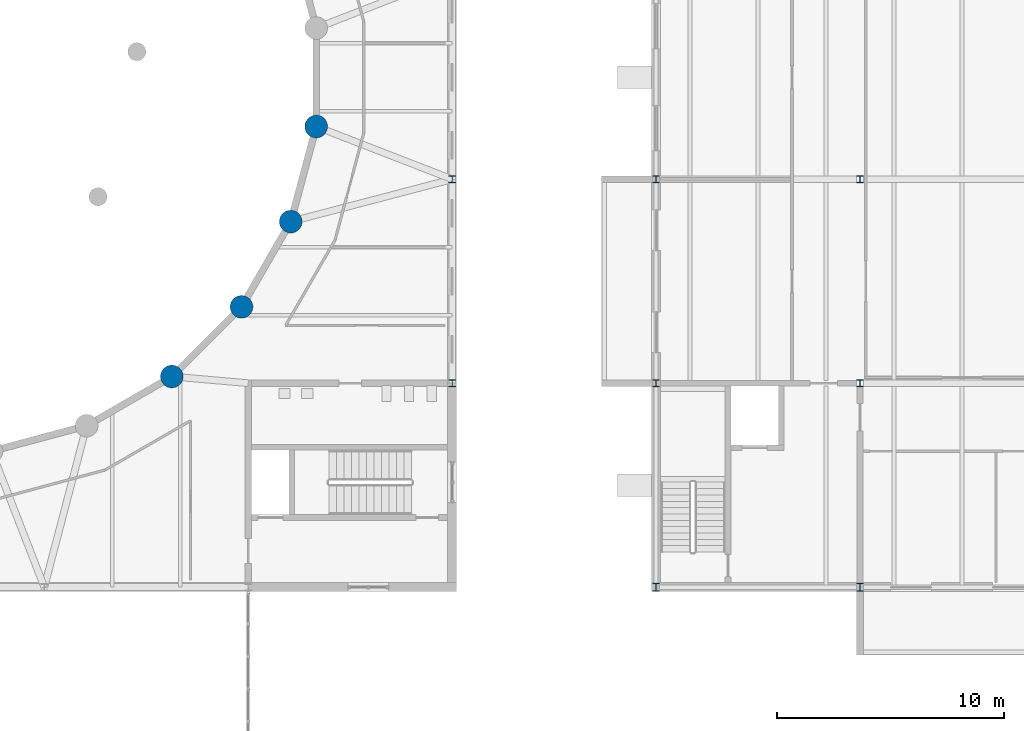
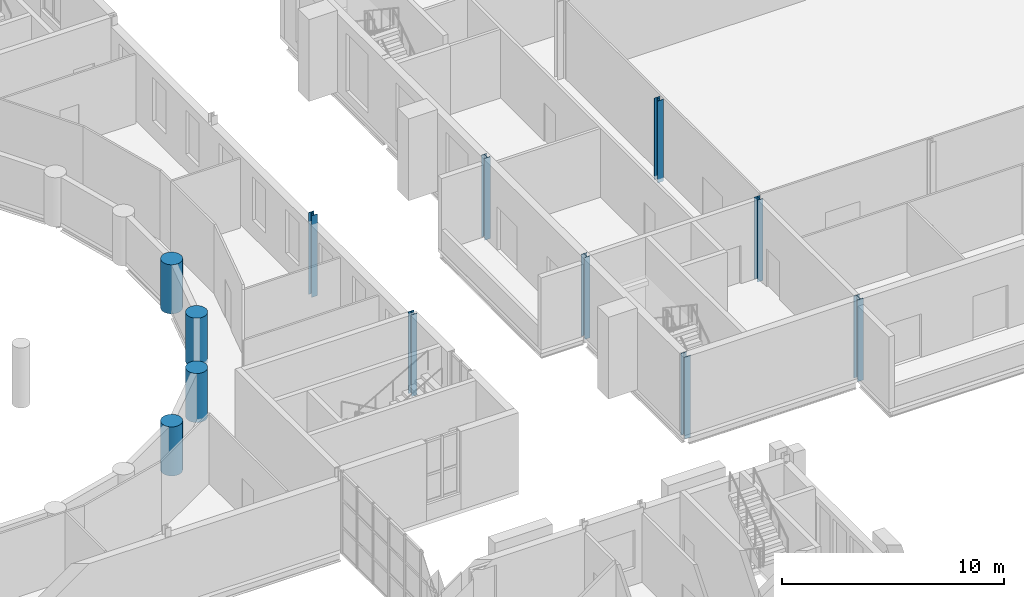
# One storey, part 13 of 134: 12 columns.
"""IFC4 building model written with IfcOpenShell, lengths in metres."""

from ifc_helpers import new_model, si_unit, direction, frame, origin, origin_2d, place, context, subcontext, project, spatial, circle, i_section, extrude, material, material_profile, profile_set, type_object, element, save


model = new_model("IFC4")

# Units and contexts
model_context = context("Model", 3, precision=1e-05, world=origin(), true_north=direction((0.0, 1.0)))
body_context = subcontext(model_context, "Body", "Model", "MODEL_VIEW")
ifc_project = project(units=[si_unit("LENGTHUNIT", "METRE"), si_unit("AREAUNIT", "SQUARE_METRE"), si_unit("VOLUMEUNIT", "CUBIC_METRE"), si_unit("PLANEANGLEUNIT", "RADIAN"), si_unit("MASSUNIT", "GRAM", prefix="KILO")], contexts=[model_context])

# Site, building, storey
site_placement = place(None, origin())
site = spatial("IfcSite", under=ifc_project, at=site_placement, CompositionType="ELEMENT")
building_placement = place(site_placement, origin())
building = spatial("IfcBuilding", under=site, at=building_placement, Name="Golden Quay Civic Hall", CompositionType="ELEMENT")
storey_placement = place(building_placement, frame((0.0, 0.0, 5.39990234375)))
storey = spatial("IfcBuildingStorey", under=building, at=storey_placement, Name="L01", CompositionType="ELEMENT", Elevation=5.39990234375)

# Columns
ifc_material_1 = material(Name="Concrete C50/60", Category="concrete")
ifc_material_profile_1 = material_profile(ifc_material_1, circle(Radius=0.5, at=origin_2d()), Name="RC D1000")
ifc_profile_set_1 = profile_set([ifc_material_profile_1], Name="Concrete C50/60")
column_type_1 = type_object("IfcColumnType", Name="Reinforced concrete column D1000", PredefinedType="COLUMN", material=ifc_profile_set_1)
for number, where, z_axis, x_axis, name in (
    (1, (95.63134765625, 72.296630859375, -0.199951171875), (0.0, 0.0, 1.0), (1.0, 0.0, 0.0), "Rotunda colonnade column 21"),
    (2, (98.703369140625, 75.36865234375, -0.199951171875), (0.0, 0.0, 1.0), (1.0, 0.0, 0.0), "Rotunda colonnade column 22"),
    (3, (100.87548828125, 79.13134765625, -0.199951171875), (0.0, 0.0, 1.0), (1.0, 0.0, 0.0), "Rotunda colonnade column 23"),
    (4, (102.0, 83.32763671875, -0.199951171875), (0.0, 0.0, 1.0), (1.0, 0.0, 0.0), "Rotunda colonnade column 24"),
):
    element("IfcColumn", number, at=place(storey_placement, frame(where, z_axis=z_axis, x_axis=x_axis)), inside=storey, type_object=column_type_1, Name=name, PredefinedType="COLUMN", context=body_context, shape_type="SweptSolid", body=[
        extrude(circle(Radius=0.5, at=origin_2d()), origin(), (0.0, 0.0, 1.0), 2.699951171875),
    ])
ifc_material_2 = material(Name="Steel S355", Category="steel")
ifc_material_profile_2 = material_profile(ifc_material_2, i_section(OverallWidth=0.300048828125, OverallDepth=0.300048828125, WebThickness=0.010986328125, FlangeThickness=0.01904296875, FilletRadius=0.027099609375, at=origin_2d()), Name="HEB 300")
ifc_profile_set_2 = profile_set([ifc_material_profile_2], Name="Steel S355")
column_type_2 = type_object("IfcColumnType", Name="Steel column HEB 300", PredefinedType="COLUMN", material=ifc_profile_set_2)
for number, where, z_axis, x_axis, name in (
    (5, (108.0, 81.0, -0.199951171875), (0.0, 0.0, 1.0), (1.0, 0.0, 0.0), "Base column 7"),
    (6, (108.0, 72.0, -0.199951171875), (0.0, 0.0, 1.0), (1.0, 0.0, 0.0), "Base column 15"),
    (7, (117.0, 72.0, -0.199951171875), (0.0, 0.0, 1.0), (1.0, 0.0, 0.0), "L01 column 117/72"),
    (8, (117.0, 81.0, -0.199951171875), (0.0, 0.0, 1.0), (1.0, 0.0, 0.0), "L01 column 117/81"),
    (9, (126.0, 72.0, -0.199951171875), (0.0, 0.0, 1.0), (1.0, 0.0, 0.0), "L01 column 126/72"),
    (10, (126.0, 81.0, -0.199951171875), (0.0, 0.0, 1.0), (1.0, 0.0, 0.0), "L01 column 126/81"),
):
    element("IfcColumn", number, at=place(storey_placement, frame(where, z_axis=z_axis, x_axis=x_axis)), inside=storey, type_object=column_type_2, Name=name, PredefinedType="COLUMN", context=body_context, shape_type="SweptSolid", body=[
        extrude(i_section(OverallWidth=0.300048828125, OverallDepth=0.300048828125, WebThickness=0.010986328125, FlangeThickness=0.01904296875, FilletRadius=0.027099609375, at=origin_2d()), origin(), (0.0, 0.0, 1.0), 4.5),
    ])
ifc_material_3 = material(Name="Steel S355", Category="steel")
ifc_material_profile_3 = material_profile(ifc_material_3, i_section(OverallWidth=0.300048828125, OverallDepth=0.360107421875, WebThickness=0.012451171875, FlangeThickness=0.0224609375, FilletRadius=0.027099609375, at=origin_2d()), Name="HEB 360")
ifc_profile_set_3 = profile_set([ifc_material_profile_3], Name="Steel S355")
column_type_3 = type_object("IfcColumnType", Name="Steel column HEB 360", PredefinedType="COLUMN", material=ifc_profile_set_3)
for number, where, z_axis, x_axis, name in (
    (11, (117.0, 63.0, -0.199951171875), (0.0, 0.0, 1.0), (1.0, 0.0, 0.0), "L01 column 117/63"),
    (12, (126.0, 63.0, -0.199951171875), (0.0, 0.0, 1.0), (1.0, 0.0, 0.0), "L01 column 126/63"),
):
    element("IfcColumn", number, at=place(storey_placement, frame(where, z_axis=z_axis, x_axis=x_axis)), inside=storey, type_object=column_type_3, Name=name, PredefinedType="COLUMN", context=body_context, shape_type="SweptSolid", body=[
        extrude(i_section(OverallWidth=0.300048828125, OverallDepth=0.360107421875, WebThickness=0.012451171875, FlangeThickness=0.0224609375, FilletRadius=0.027099609375, at=origin_2d()), origin(), (0.0, 0.0, 1.0), 4.5),
    ])

save(model, "model.ifc")
